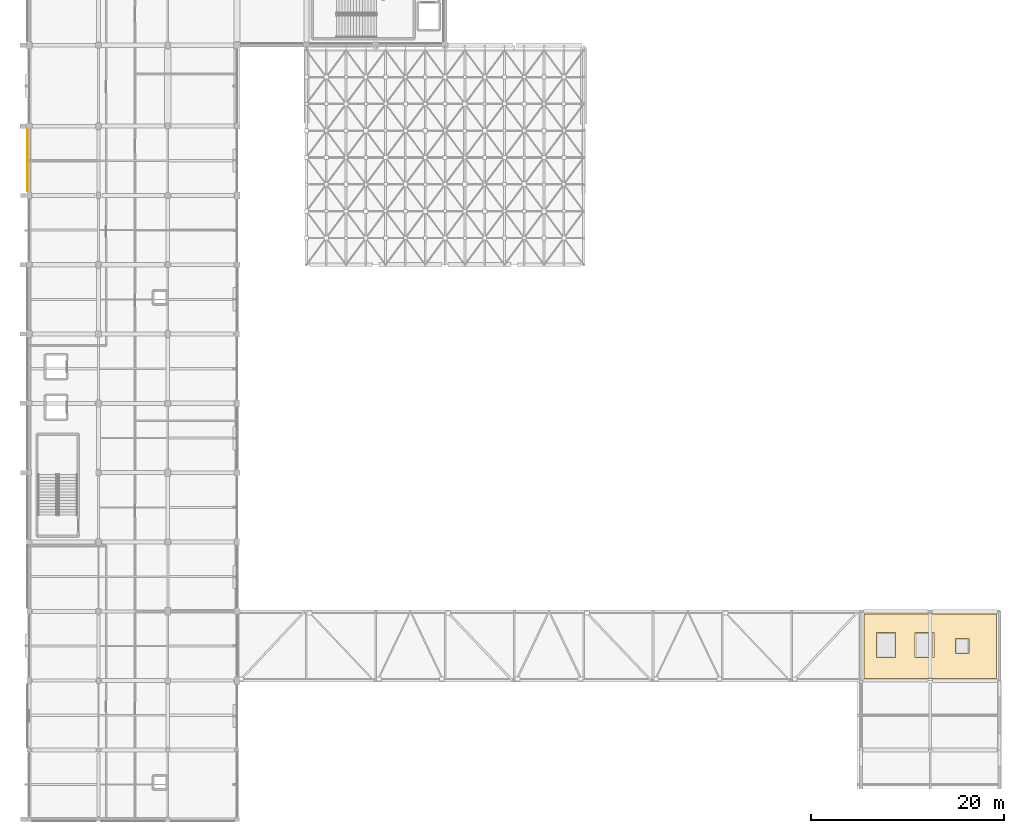
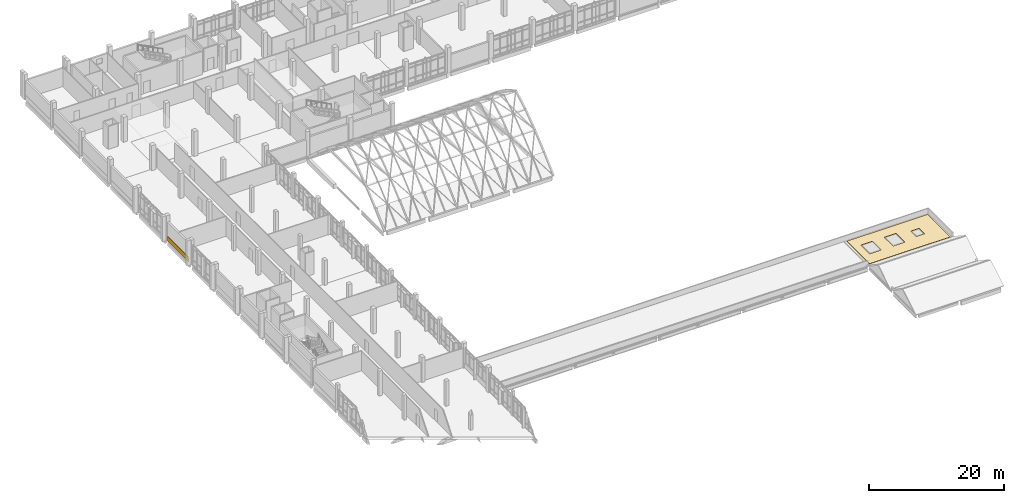
# One storey, part 83 of 87: 2 coverings.
"""IFC4 building model written with IfcOpenShell, lengths in metres."""

from ifc_helpers import new_model, si_unit, direction, frame, origin, origin_2d, place, context, subcontext, project, spatial, polyline, rectangle, outline, extrude, material, layer, layer_set, type_object, element, save


model = new_model("IFC4")

# Units and contexts
model_context = context("Model", 3, precision=1e-05, world=origin(), true_north=direction((0.0, 1.0)))
body_context = subcontext(model_context, "Body", "Model", "MODEL_VIEW")
ifc_project = project(units=[si_unit("LENGTHUNIT", "METRE"), si_unit("AREAUNIT", "SQUARE_METRE"), si_unit("VOLUMEUNIT", "CUBIC_METRE"), si_unit("PLANEANGLEUNIT", "RADIAN"), si_unit("MASSUNIT", "GRAM", prefix="KILO")], contexts=[model_context])

# Site, building, storey
site_placement = place(None, origin())
site = spatial("IfcSite", under=ifc_project, at=site_placement, CompositionType="ELEMENT")
building_placement = place(site_placement, origin())
building = spatial("IfcBuilding", under=site, at=building_placement, Name="Kalluvel Institute of Natural Sciences", CompositionType="ELEMENT")
storey_placement = place(building_placement, frame((0.0, 0.0, 18.89990234375)))
storey = spatial("IfcBuildingStorey", under=building, at=storey_placement, Name="L04", CompositionType="ELEMENT", Elevation=18.89990234375)

# Coverings
ifc_material_1 = material(Name="Sadarahalli Grey Granite Ashlar Concrete M40", Category="masonry")
ifc_layer_1 = layer(ifc_material_1, 0.044921875)
ifc_layer_set_1 = layer_set([ifc_layer_1], Name="Sadarahalli Grey Granite Ashlar Concrete M40")
covering_type_1 = type_object("IfcCoveringType", Name="COV-CLAD-STONE", PredefinedType="CLADDING", material=ifc_layer_set_1)
covering_1_placement = place(storey_placement, frame((13.830078125, 82.425048828125, 0.025146484375), z_axis=(0.0, 0.0, 1.0), x_axis=(0.0, 1.0, 0.0)))
element("IfcCovering", 1, at=covering_1_placement, inside=storey, type_object=covering_type_1, Name="L04 Sadarahalli granite plinth spandrel cladding 177", PredefinedType="CLADDING", context=body_context, shape_type="SweptSolid", body=[
    extrude(rectangle(XDim=6.389892578125, YDim=0.044921875, at=origin_2d()), origin(), (0.0, 0.0, 1.0), 0.85009765625),
])
ifc_material_2 = material(Name="SBS Polymer-Modified Bitumen Waterproofing", Category="bitumen")
ifc_layer_2 = layer(ifc_material_2, 0.06005859375)
ifc_layer_set_2 = layer_set([ifc_layer_2], Name="SBS Polymer-Modified Bitumen Waterproofing")
covering_type_2 = type_object("IfcCoveringType", Name="COV-ROOF-SBS", PredefinedType="ROOFING", material=ifc_layer_set_2)
covering_2_placement = place(storey_placement, origin())
element("IfcCovering", 2, at=covering_2_placement, inside=storey, type_object=covering_type_2, Name="L04 SBS roof waterproofing build-up RM-L04-ECOM", PredefinedType="ROOFING", context=body_context, shape_type="SweptSolid", body=[
    extrude(outline(polyline([(100.699951171875, 28.60009765625), (114.5, 28.60009765625), (114.5, 35.300048828125), (100.699951171875, 35.300048828125), (100.699951171875, 28.60009765625)]), holes=[polyline([(102.0, 30.800048828125), (104.0, 30.800048828125), (104.0, 33.39990234375), (102.0, 33.39990234375), (102.0, 30.800048828125)]), polyline([(106.0, 30.800048828125), (108.0, 30.800048828125), (108.0, 33.39990234375), (106.0, 33.39990234375), (106.0, 30.800048828125)]), polyline([(110.199951171875, 31.199951171875), (111.60009765625, 31.199951171875), (111.60009765625, 32.800048828125), (110.199951171875, 32.800048828125), (110.199951171875, 31.199951171875)])]), origin(), (0.0, 0.0, 1.0), 0.06005859375),
])

save(model, "model.ifc")
